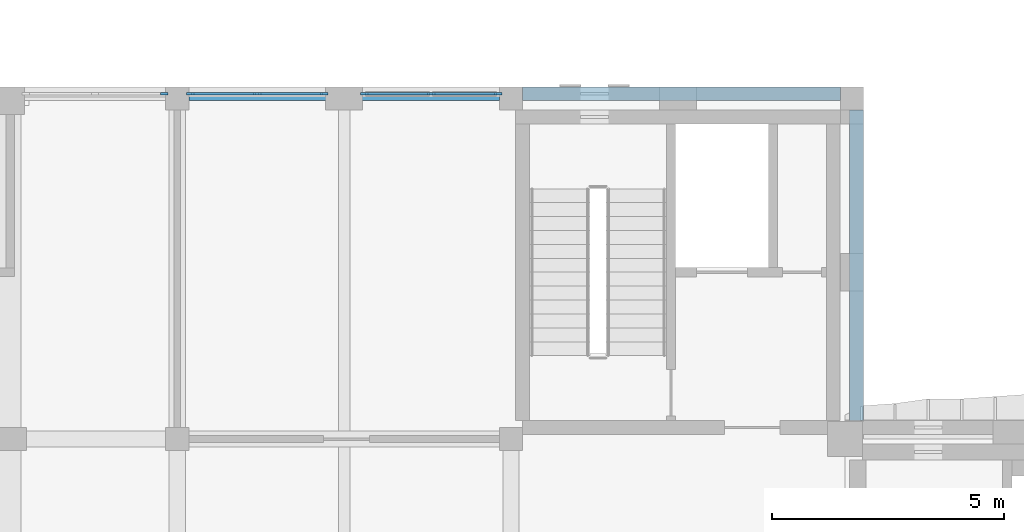
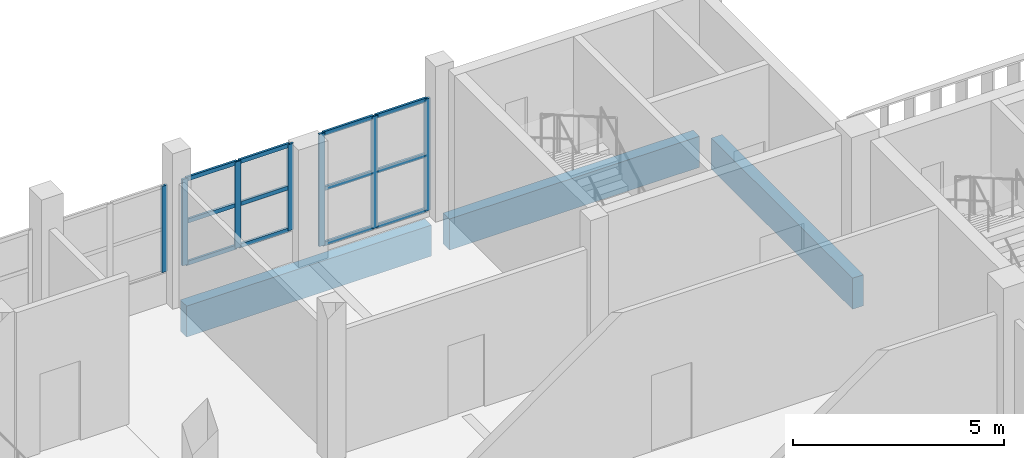
# One storey, part 13 of 58: 19 members, 3 beams, 3 elements without a shape of their own.
"""IFC4 building model written with IfcOpenShell, lengths in metres."""

from ifc_helpers import new_model, si_unit, direction, frame, origin, origin_2d, place, context, subcontext, project, spatial, rectangle, extrude, material, layer, layer_set, material_profile, profile_set, type_object, element, aggregate, save


model = new_model("IFC4")

# Units and contexts
model_context = context("Model", 3, precision=1e-05, world=origin(), true_north=direction((0.0, 1.0)))
body_context = subcontext(model_context, "Body", "Model", "MODEL_VIEW")
ifc_project = project(units=[si_unit("LENGTHUNIT", "METRE"), si_unit("AREAUNIT", "SQUARE_METRE"), si_unit("VOLUMEUNIT", "CUBIC_METRE"), si_unit("PLANEANGLEUNIT", "RADIAN"), si_unit("MASSUNIT", "GRAM", prefix="KILO")], contexts=[model_context])

# Site, building, storey
site_placement = place(None, origin())
site = spatial("IfcSite", under=ifc_project, at=site_placement, CompositionType="ELEMENT")
building_placement = place(site_placement, origin())
building = spatial("IfcBuilding", under=site, at=building_placement, Name="Ussher Court Research Institute", CompositionType="ELEMENT")
storey_placement = place(building_placement, frame((0.0, 0.0, 9.89990234375)))
storey = spatial("IfcBuildingStorey", under=building, at=storey_placement, Name="L02", CompositionType="ELEMENT", Elevation=9.89990234375)

# Curtain wall, member
ifc_material_1 = material(Name="Bronze anodised aluminium with insulated low-e glass", Category="aluminium")
ifc_layer_1 = layer(ifc_material_1, 0.1201171875)
ifc_layer_set_1 = layer_set([ifc_layer_1], Name="Bronze anodised aluminium with insulated low-e glass")
curtain_wall_type_1 = type_object("IfcCurtainWallType", Name="Curtain wall reading link court front", PredefinedType="NOTDEFINED", material=ifc_layer_set_1)
curtain_wall_1_placement = place(storey_placement, origin())
curtain_wall_1 = element("IfcCurtainWall", 1, at=curtain_wall_1_placement, inside=storey, type_object=curtain_wall_type_1, Name="Curtain wall CW7 L02", PredefinedType="NOTDEFINED")
ifc_material_2 = material(Name="Bronze anodised aluminium", Category="aluminium")
ifc_material_profile_1 = material_profile(ifc_material_2, rectangle(XDim=0.06005859375, YDim=0.159912109375, at=origin_2d()), Name="Mullion 60x160")
ifc_profile_set_1 = profile_set([ifc_material_profile_1], Name="Bronze anodised aluminium")
member_type_1 = type_object("IfcMemberType", Name="Mullion 60x160", PredefinedType="MULLION", material=ifc_profile_set_1)
member_1_placement = place(storey_placement, frame((67.52001953125, 40.25, 0.900146484375), z_axis=(0.0, 0.0, 1.0), x_axis=(0.0, 1.0, 0.0)))
member_1 = element("IfcMember", 2, at=member_1_placement, type_object=member_type_1, Name="CW7 mullion 3", PredefinedType="MULLION", context=body_context, shape_type="SweptSolid", body=[
    extrude(rectangle(XDim=0.06005859375, YDim=0.159912109375, at=origin_2d()), origin(), (0.0, 0.0, 1.0), 2.5),
])
aggregate(curtain_wall_1, [member_1])

# Curtain wall, members
curtain_wall_2_placement = place(storey_placement, origin())
curtain_wall_2 = element("IfcCurtainWall", 3, at=curtain_wall_2_placement, inside=storey, type_object=curtain_wall_type_1, Name="Curtain wall CW7 L02", PredefinedType="NOTDEFINED")
member_2_placement = place(storey_placement, frame((68.080078125, 40.25, 0.900146484375), z_axis=(0.0, 0.0, 1.0), x_axis=(0.0, 1.0, 0.0)))
member_2 = element("IfcMember", 4, at=member_2_placement, type_object=member_type_1, Name="CW7 mullion 1", PredefinedType="MULLION", context=body_context, shape_type="SweptSolid", body=[
    extrude(rectangle(XDim=0.06005859375, YDim=0.159912109375, at=origin_2d()), origin(), (0.0, 0.0, 1.0), 2.5),
])
member_3_placement = place(storey_placement, frame((69.52490234375, 40.25, 0.900146484375), z_axis=(0.0, 0.0, 1.0), x_axis=(0.0, 1.0, 0.0)))
member_3 = element("IfcMember", 5, at=member_3_placement, type_object=member_type_1, Name="CW7 mullion 2", PredefinedType="MULLION", context=body_context, shape_type="SweptSolid", body=[
    extrude(rectangle(XDim=0.06005859375, YDim=0.159912109375, at=origin_2d()), origin(), (0.0, 0.0, 1.0), 2.5),
])
member_4_placement = place(storey_placement, frame((70.969970703125, 40.25, 0.900146484375), z_axis=(0.0, 0.0, 1.0), x_axis=(0.0, 1.0, 0.0)))
member_4 = element("IfcMember", 6, at=member_4_placement, type_object=member_type_1, Name="CW7 mullion 3", PredefinedType="MULLION", context=body_context, shape_type="SweptSolid", body=[
    extrude(rectangle(XDim=0.06005859375, YDim=0.159912109375, at=origin_2d()), origin(), (0.0, 0.0, 1.0), 2.5),
])

ifc_material_3 = material(Name="Bronze anodised aluminium with fire-resisting glass", Category="aluminium")
ifc_layer_2 = layer(ifc_material_3, 0.1201171875)
ifc_layer_set_2 = layer_set([ifc_layer_2], Name="Bronze anodised aluminium with fire-resisting glass")
curtain_wall_type_2 = type_object("IfcCurtainWallType", Name="Curtain wall stair-side fire-resisting glazing", PredefinedType="NOTDEFINED", material=ifc_layer_set_2)
curtain_wall_3_placement = place(storey_placement, origin())
curtain_wall_3 = element("IfcCurtainWall", 7, at=curtain_wall_3_placement, inside=storey, type_object=curtain_wall_type_2, Name="Curtain wall CW13 L02", PredefinedType="NOTDEFINED")
member_5_placement = place(storey_placement, frame((71.830078125, 40.25, 0.150146484375), z_axis=(0.0, 0.0, 1.0), x_axis=(0.0, 1.0, 0.0)))
member_5 = element("IfcMember", 8, at=member_5_placement, type_object=member_type_1, Name="CW13 mullion 1", PredefinedType="MULLION", context=body_context, shape_type="SweptSolid", body=[
    extrude(rectangle(XDim=0.06005859375, YDim=0.159912109375, at=origin_2d()), origin(), (0.0, 0.0, 1.0), 3.25),
])
member_6_placement = place(storey_placement, frame((73.27490234375, 40.25, 0.150146484375), z_axis=(0.0, 0.0, 1.0), x_axis=(0.0, 1.0, 0.0)))
member_6 = element("IfcMember", 9, at=member_6_placement, type_object=member_type_1, Name="CW13 mullion 2", PredefinedType="MULLION", context=body_context, shape_type="SweptSolid", body=[
    extrude(rectangle(XDim=0.06005859375, YDim=0.159912109375, at=origin_2d()), origin(), (0.0, 0.0, 1.0), 3.25),
])
member_7_placement = place(storey_placement, frame((74.719970703125, 40.25, 0.150146484375), z_axis=(0.0, 0.0, 1.0), x_axis=(0.0, 1.0, 0.0)))
member_7 = element("IfcMember", 10, at=member_7_placement, type_object=member_type_1, Name="CW13 mullion 3", PredefinedType="MULLION", context=body_context, shape_type="SweptSolid", body=[
    extrude(rectangle(XDim=0.06005859375, YDim=0.159912109375, at=origin_2d()), origin(), (0.0, 0.0, 1.0), 3.25),
])

# Beams
ifc_material_4 = material(Name="Concrete C35/45", Category="concrete")
ifc_material_profile_2 = material_profile(ifc_material_4, rectangle(XDim=0.300048828125, YDim=0.89990234375, at=origin_2d()), Name="RC 300x900")
ifc_profile_set_2 = profile_set([ifc_material_profile_2], Name="Concrete C35/45")
beam_type = type_object("IfcBeamType", Name="RC 300x900 beam", PredefinedType="BEAM", material=ifc_profile_set_2)
beam_1_placement = place(storey_placement, frame((68.050048828125, 40.25, -0.64990234375), z_axis=(1.0, 0.0, 0.0), x_axis=(0.0, 1.0, 0.0)))
element("IfcBeam", 11, at=beam_1_placement, inside=storey, type_object=beam_type, Name="SB2 V7 L02-09", PredefinedType="BEAM", context=body_context, shape_type="SweptSolid", body=[
    extrude(rectangle(XDim=0.300048828125, YDim=0.89990234375, at=origin_2d()), origin(), (0.0, 0.0, 1.0), 6.699951171875),
])
beam_2_placement = place(storey_placement, frame((75.25, 40.25, -0.64990234375), z_axis=(1.0, 0.0, 0.0), x_axis=(0.0, 1.0, 0.0)))
element("IfcBeam", 12, at=beam_2_placement, inside=storey, type_object=beam_type, Name="SB2 V7 L02-10", PredefinedType="BEAM", context=body_context, shape_type="SweptSolid", body=[
    extrude(rectangle(XDim=0.300048828125, YDim=0.89990234375, at=origin_2d()), origin(), (0.0, 0.0, 1.0), 6.85009765625),
])
beam_3_placement = place(storey_placement, frame((82.449951171875, 33.199951171875, -0.64990234375), z_axis=(0.0, 1.0, 0.0), x_axis=(-1.0, 0.0, 0.0)))
element("IfcBeam", 13, at=beam_3_placement, inside=storey, type_object=beam_type, Name="SB2 V7 L02-15", PredefinedType="BEAM", context=body_context, shape_type="SweptSolid", body=[
    extrude(rectangle(XDim=0.300048828125, YDim=0.89990234375, at=origin_2d()), origin(), (0.0, 0.0, 1.0), 6.699951171875),
])

# Member
ifc_material_5 = material(Name="Bronze anodised aluminium", Category="aluminium")
ifc_material_profile_3 = material_profile(ifc_material_5, rectangle(XDim=0.06005859375, YDim=0.1201171875, at=origin_2d()), Name="Transom 60x120")
ifc_profile_set_3 = profile_set([ifc_material_profile_3], Name="Bronze anodised aluminium")
member_type_2 = type_object("IfcMemberType", Name="Transom 60x120", PredefinedType="USERDEFINED", material=ifc_profile_set_3)
member_8_placement = place(storey_placement, frame((68.110107421875, 40.25, 0.93017578125), z_axis=(1.0, 0.0, 0.0), x_axis=(0.0, 1.0, 0.0)))
member_8 = element("IfcMember", 14, at=member_8_placement, type_object=member_type_2, Name="CW7 transom 1.1", ObjectType="TRANSOM", PredefinedType="USERDEFINED", context=body_context, shape_type="SweptSolid", body=[
    extrude(rectangle(XDim=0.06005859375, YDim=0.1201171875, at=origin_2d()), origin(), (0.0, 0.0, 1.0), 1.385009765625),
])

member_9_placement = place(storey_placement, frame((68.110107421875, 40.25, 2.150146484375), z_axis=(1.0, 0.0, 0.0), x_axis=(0.0, 1.0, 0.0)))
member_9 = element("IfcMember", 15, at=member_9_placement, type_object=member_type_2, Name="CW7 transom 1.2", ObjectType="TRANSOM", PredefinedType="USERDEFINED", context=body_context, shape_type="SweptSolid", body=[
    extrude(rectangle(XDim=0.06005859375, YDim=0.1201171875, at=origin_2d()), origin(), (0.0, 0.0, 1.0), 1.385009765625),
])

member_10_placement = place(storey_placement, frame((68.110107421875, 40.25, 3.3701171875), z_axis=(1.0, 0.0, 0.0), x_axis=(0.0, 1.0, 0.0)))
member_10 = element("IfcMember", 16, at=member_10_placement, type_object=member_type_2, Name="CW7 transom 1.3", ObjectType="TRANSOM", PredefinedType="USERDEFINED", context=body_context, shape_type="SweptSolid", body=[
    extrude(rectangle(XDim=0.06005859375, YDim=0.1201171875, at=origin_2d()), origin(), (0.0, 0.0, 1.0), 1.385009765625),
])

member_11_placement = place(storey_placement, frame((69.554931640625, 40.25, 0.93017578125), z_axis=(1.0, 0.0, 0.0), x_axis=(0.0, 1.0, 0.0)))
member_11 = element("IfcMember", 17, at=member_11_placement, type_object=member_type_2, Name="CW7 transom 2.1", ObjectType="TRANSOM", PredefinedType="USERDEFINED", context=body_context, shape_type="SweptSolid", body=[
    extrude(rectangle(XDim=0.06005859375, YDim=0.1201171875, at=origin_2d()), origin(), (0.0, 0.0, 1.0), 1.385009765625),
])

member_12_placement = place(storey_placement, frame((69.554931640625, 40.25, 2.150146484375), z_axis=(1.0, 0.0, 0.0), x_axis=(0.0, 1.0, 0.0)))
member_12 = element("IfcMember", 18, at=member_12_placement, type_object=member_type_2, Name="CW7 transom 2.2", ObjectType="TRANSOM", PredefinedType="USERDEFINED", context=body_context, shape_type="SweptSolid", body=[
    extrude(rectangle(XDim=0.06005859375, YDim=0.1201171875, at=origin_2d()), origin(), (0.0, 0.0, 1.0), 1.385009765625),
])

member_13_placement = place(storey_placement, frame((69.554931640625, 40.25, 3.3701171875), z_axis=(1.0, 0.0, 0.0), x_axis=(0.0, 1.0, 0.0)))
member_13 = element("IfcMember", 19, at=member_13_placement, type_object=member_type_2, Name="CW7 transom 2.3", ObjectType="TRANSOM", PredefinedType="USERDEFINED", context=body_context, shape_type="SweptSolid", body=[
    extrude(rectangle(XDim=0.06005859375, YDim=0.1201171875, at=origin_2d()), origin(), (0.0, 0.0, 1.0), 1.385009765625),
])

aggregate(curtain_wall_2, [member_2, member_3, member_4, member_8, member_9, member_10, member_11, member_12, member_13])

member_14_placement = place(storey_placement, frame((71.860107421875, 40.25, 0.18017578125), z_axis=(1.0, 0.0, 0.0), x_axis=(0.0, 1.0, 0.0)))
member_14 = element("IfcMember", 20, at=member_14_placement, type_object=member_type_2, Name="CW13 transom 1.1", ObjectType="TRANSOM", PredefinedType="USERDEFINED", context=body_context, shape_type="SweptSolid", body=[
    extrude(rectangle(XDim=0.06005859375, YDim=0.1201171875, at=origin_2d()), origin(), (0.0, 0.0, 1.0), 1.385009765625),
])

member_15_placement = place(storey_placement, frame((71.860107421875, 40.25, 1.775146484375), z_axis=(1.0, 0.0, 0.0), x_axis=(0.0, 1.0, 0.0)))
member_15 = element("IfcMember", 21, at=member_15_placement, type_object=member_type_2, Name="CW13 transom 1.2", ObjectType="TRANSOM", PredefinedType="USERDEFINED", context=body_context, shape_type="SweptSolid", body=[
    extrude(rectangle(XDim=0.06005859375, YDim=0.1201171875, at=origin_2d()), origin(), (0.0, 0.0, 1.0), 1.385009765625),
])

member_16_placement = place(storey_placement, frame((71.860107421875, 40.25, 3.3701171875), z_axis=(1.0, 0.0, 0.0), x_axis=(0.0, 1.0, 0.0)))
member_16 = element("IfcMember", 22, at=member_16_placement, type_object=member_type_2, Name="CW13 transom 1.3", ObjectType="TRANSOM", PredefinedType="USERDEFINED", context=body_context, shape_type="SweptSolid", body=[
    extrude(rectangle(XDim=0.06005859375, YDim=0.1201171875, at=origin_2d()), origin(), (0.0, 0.0, 1.0), 1.385009765625),
])

member_17_placement = place(storey_placement, frame((73.304931640625, 40.25, 0.18017578125), z_axis=(1.0, 0.0, 0.0), x_axis=(0.0, 1.0, 0.0)))
member_17 = element("IfcMember", 23, at=member_17_placement, type_object=member_type_2, Name="CW13 transom 2.1", ObjectType="TRANSOM", PredefinedType="USERDEFINED", context=body_context, shape_type="SweptSolid", body=[
    extrude(rectangle(XDim=0.06005859375, YDim=0.1201171875, at=origin_2d()), origin(), (0.0, 0.0, 1.0), 1.385009765625),
])

member_18_placement = place(storey_placement, frame((73.304931640625, 40.25, 1.775146484375), z_axis=(1.0, 0.0, 0.0), x_axis=(0.0, 1.0, 0.0)))
member_18 = element("IfcMember", 24, at=member_18_placement, type_object=member_type_2, Name="CW13 transom 2.2", ObjectType="TRANSOM", PredefinedType="USERDEFINED", context=body_context, shape_type="SweptSolid", body=[
    extrude(rectangle(XDim=0.06005859375, YDim=0.1201171875, at=origin_2d()), origin(), (0.0, 0.0, 1.0), 1.385009765625),
])

member_19_placement = place(storey_placement, frame((73.304931640625, 40.25, 3.3701171875), z_axis=(1.0, 0.0, 0.0), x_axis=(0.0, 1.0, 0.0)))
member_19 = element("IfcMember", 25, at=member_19_placement, type_object=member_type_2, Name="CW13 transom 2.3", ObjectType="TRANSOM", PredefinedType="USERDEFINED", context=body_context, shape_type="SweptSolid", body=[
    extrude(rectangle(XDim=0.06005859375, YDim=0.1201171875, at=origin_2d()), origin(), (0.0, 0.0, 1.0), 1.385009765625),
])

aggregate(curtain_wall_3, [member_5, member_6, member_7, member_14, member_15, member_16, member_17, member_18, member_19])

save(model, "model.ifc")
